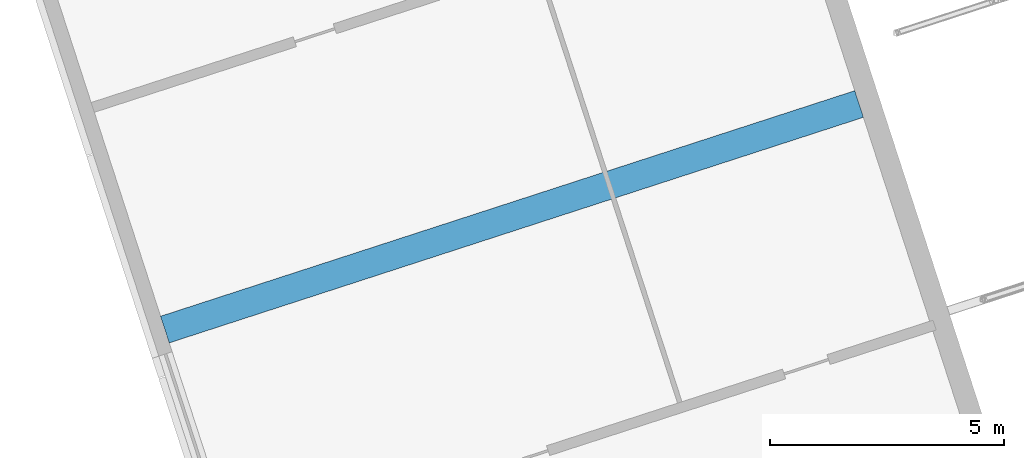
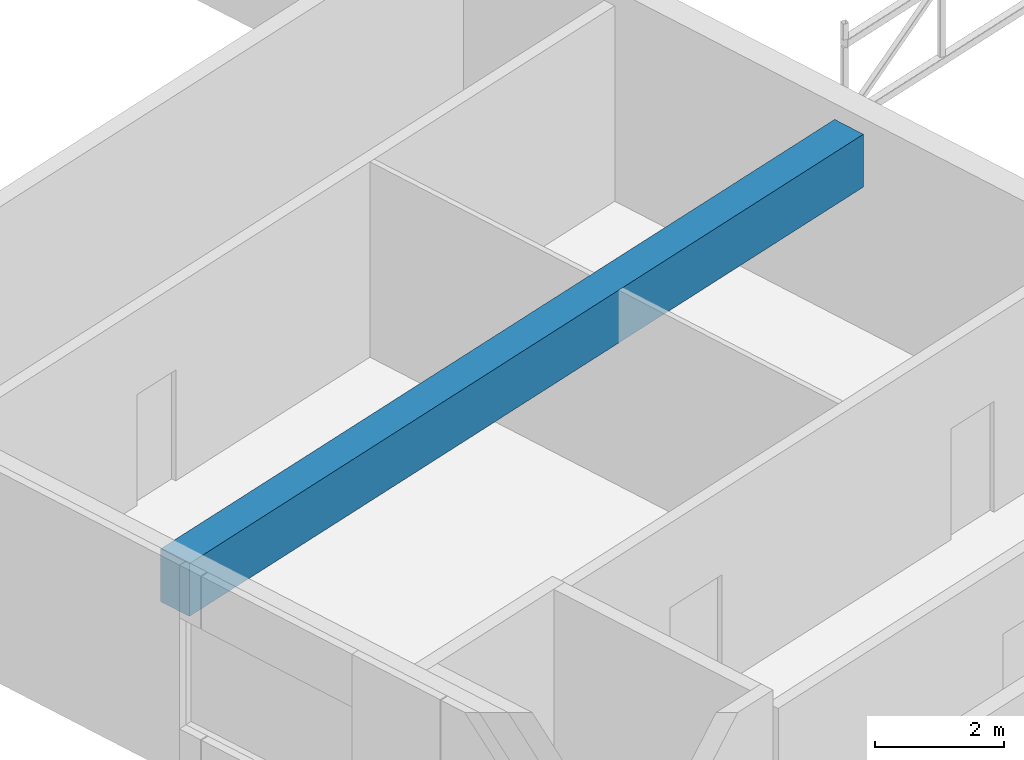
# One storey, part 6 of 81: 1 beam.
"""IFC4 building model written with IfcOpenShell, lengths in metres."""

from ifc_helpers import new_model, si_unit, direction, frame, origin, origin_2d, place, context, subcontext, project, spatial, rectangle, extrude, material, material_profile, profile_set, type_object, element, save


model = new_model("IFC4")

# Units and contexts
model_context = context("Model", 3, precision=1e-05, world=origin(), true_north=direction((0.0, 1.0)))
body_context = subcontext(model_context, "Body", "Model", "MODEL_VIEW")
ifc_project = project(units=[si_unit("LENGTHUNIT", "METRE"), si_unit("AREAUNIT", "SQUARE_METRE"), si_unit("VOLUMEUNIT", "CUBIC_METRE"), si_unit("PLANEANGLEUNIT", "RADIAN"), si_unit("MASSUNIT", "GRAM", prefix="KILO")], contexts=[model_context])

# Site, building, storey
site_placement = place(None, origin())
site = spatial("IfcSite", under=ifc_project, at=site_placement, CompositionType="ELEMENT")
building_placement = place(site_placement, origin())
building = spatial("IfcBuilding", under=site, at=building_placement, Name="Tuart Plaza Theatre", CompositionType="ELEMENT")
storey_placement = place(building_placement, frame((0.0, 0.0, 17.5)))
storey = spatial("IfcBuildingStorey", under=building, at=storey_placement, Name="L04", CompositionType="ELEMENT", Elevation=17.5)

# Beam
ifc_material = material(Name="Concrete N40 (40 MPa)", Category="concrete")
ifc_material_profile = material_profile(ifc_material, rectangle(XDim=0.60009765625, YDim=1.0, at=origin_2d()), Name="BEAM 600x1000 Concrete N40 (40 MPa)")
ifc_profile_set = profile_set([ifc_material_profile], Name="Concrete N40 (40 MPa)")
beam_type = type_object("IfcBeamType", Name="BEAM 600x1000 Concrete N40 (40 MPa)", PredefinedType="BEAM", material=ifc_profile_set)
beam_placement = place(storey_placement, frame((28.80712890625, 55.93310546875, 3.199951171875), z_axis=(0.951057490127, 0.309013997211, 0.0), x_axis=(-0.309013997211, 0.951057490127, 0.0)))
element("IfcBeam", 1, at=beam_placement, inside=storey, type_object=beam_type, Name="RB2", PredefinedType="BEAM", context=body_context, shape_type="SweptSolid", body=[
    extrude(rectangle(XDim=0.60009765625, YDim=1.0, at=origin_2d()), origin(), (0.0, 0.0, 1.0), 15.625),
])

save(model, "model.ifc")
